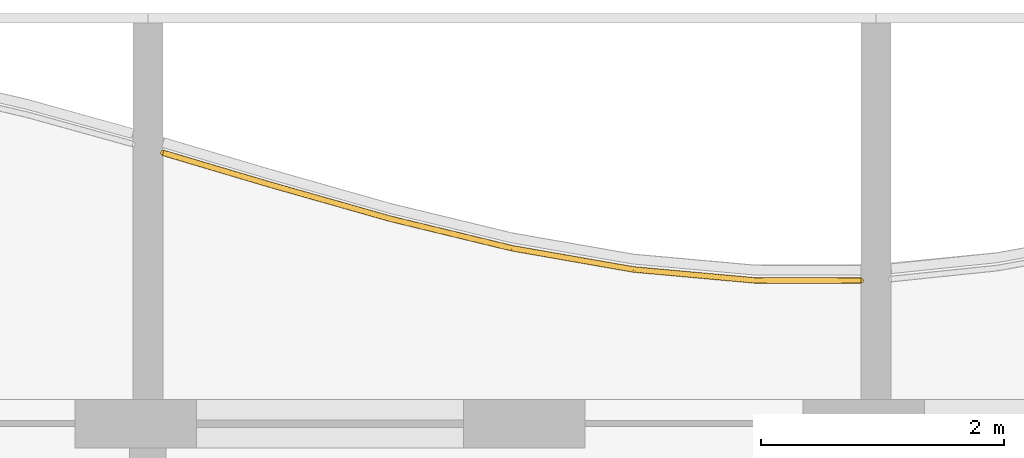
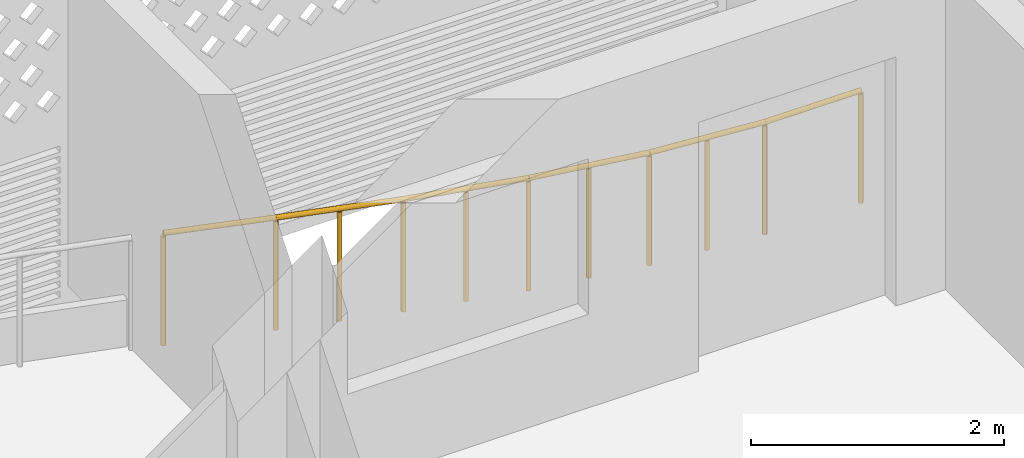
# One storey, part 30 of 33: 1 railing.
"""IFC4 building model written with IfcOpenShell, lengths in metres."""

from ifc_helpers import new_model, si_unit, direction, frame, origin, origin_2d, place, context, subcontext, project, spatial, circle, extrude, material, type_object, element, save


model = new_model("IFC4")

# Units and contexts
model_context = context("Model", 3, precision=1e-05, world=origin(), true_north=direction((0.0, 1.0)))
body_context = subcontext(model_context, "Body", "Model", "MODEL_VIEW")
ifc_project = project(units=[si_unit("LENGTHUNIT", "METRE"), si_unit("AREAUNIT", "SQUARE_METRE"), si_unit("VOLUMEUNIT", "CUBIC_METRE"), si_unit("PLANEANGLEUNIT", "RADIAN"), si_unit("MASSUNIT", "GRAM", prefix="KILO")], contexts=[model_context])

# Site, building, storey
site_placement = place(None, origin())
site = spatial("IfcSite", under=ifc_project, at=site_placement, CompositionType="ELEMENT")
building_placement = place(site_placement, origin())
building = spatial("IfcBuilding", under=site, at=building_placement, Name="Poui Terraces", CompositionType="ELEMENT")
storey_placement = place(building_placement, frame((0.0, 0.0, 135.60009765625)))
storey = spatial("IfcBuildingStorey", under=building, at=storey_placement, Name="L37", CompositionType="ELEMENT", Elevation=135.60009765625)

# Railing
ifc_material = material(Name="Painted steel fretwork", Category="steel")
railing_type = type_object("IfcRailingType", Name="BALCONY GUARD 1100", PredefinedType="GUARDRAIL", material=ifc_material)
railing_placement = place(storey_placement, frame((72.125, 44.631103515625, 0.0)))
element("IfcRailing", 1, at=railing_placement, inside=storey, type_object=railing_type, Name="BALCONY GUARD", PredefinedType="GUARDRAIL", context=body_context, shape_type="SweptSolid", body=[
    extrude(circle(Radius=0.02392578125, at=origin_2d()), frame((0.0, 0.0, 1.076171875), z_axis=(0.958573864065, -0.28484407512, 0.0), x_axis=(0.28484407512, 0.958573864065, 0.0)), (0.0, 0.0, 1.0), 0.912841796875),
    extrude(circle(Radius=0.02392578125, at=origin_2d()), frame((0.875, -0.260009765625, 1.076171875), z_axis=(0.962036324093, -0.272921437645, 0.0), x_axis=(0.272921437645, 0.962036324093, 0.0)), (0.0, 0.0, 1.0), 1.03955078125),
    extrude(circle(Radius=0.02392578125, at=origin_2d()), frame((1.875, -0.543701171875, 1.076171875), z_axis=(0.971902764759, -0.23538270084, 0.0), x_axis=(0.23538270084, 0.971902764759, 0.0)), (0.0, 0.0, 1.0), 1.02880859375),
    extrude(circle(Radius=0.02392578125, at=origin_2d()), frame((2.875, -0.785888671875, 1.076171875), z_axis=(0.985063118138, -0.172193650534, 0.0), x_axis=(0.172193650534, 0.985063118138, 0.0)), (0.0, 0.0, 1.0), 1.01513671875),
    extrude(circle(Radius=0.02392578125, at=origin_2d()), frame((3.875, -0.960693359375, 1.076171875), z_axis=(0.995944862323, -0.089965722427, 0.0), x_axis=(0.089965722427, 0.995944862323, 0.0)), (0.0, 0.0, 1.0), 1.004150390625),
    extrude(circle(Radius=0.02392578125, at=origin_2d()), frame((4.875, -1.051025390625, 1.076171875), z_axis=(0.999998092657, -0.001953121275, 0.0), x_axis=(0.001953121275, 0.999998092657, 0.0)), (0.0, 0.0, 1.0), 0.875),
    extrude(circle(Radius=0.02099609375, at=origin_2d()), origin(), (0.0, 0.0, 1.0), 1.052001953125),
    extrude(circle(Radius=0.02099609375, at=origin_2d()), frame((0.875, -0.260009765625, 0.0)), (0.0, 0.0, 1.0), 1.052001953125),
    extrude(circle(Radius=0.02099609375, at=origin_2d()), frame((1.375, -0.40185546875, 0.0)), (0.0, 0.0, 1.0), 1.052001953125),
    extrude(circle(Radius=0.02099609375, at=origin_2d()), frame((1.875, -0.543701171875, 0.0)), (0.0, 0.0, 1.0), 1.052001953125),
    extrude(circle(Radius=0.02099609375, at=origin_2d()), frame((2.375, -0.664794921875, 0.0)), (0.0, 0.0, 1.0), 1.052001953125),
    extrude(circle(Radius=0.02099609375, at=origin_2d()), frame((2.875, -0.785888671875, 0.0)), (0.0, 0.0, 1.0), 1.052001953125),
    extrude(circle(Radius=0.02099609375, at=origin_2d()), frame((3.375, -0.873291015625, 0.0)), (0.0, 0.0, 1.0), 1.052001953125),
    extrude(circle(Radius=0.02099609375, at=origin_2d()), frame((3.875, -0.960693359375, 0.0)), (0.0, 0.0, 1.0), 1.052001953125),
    extrude(circle(Radius=0.02099609375, at=origin_2d()), frame((4.375, -1.005859375, 0.0)), (0.0, 0.0, 1.0), 1.052001953125),
    extrude(circle(Radius=0.02099609375, at=origin_2d()), frame((4.875, -1.051025390625, 0.0)), (0.0, 0.0, 1.0), 1.052001953125),
    extrude(circle(Radius=0.02099609375, at=origin_2d()), frame((5.75, -1.052734375, 0.0)), (0.0, 0.0, 1.0), 1.052001953125),
])

save(model, "model.ifc")
